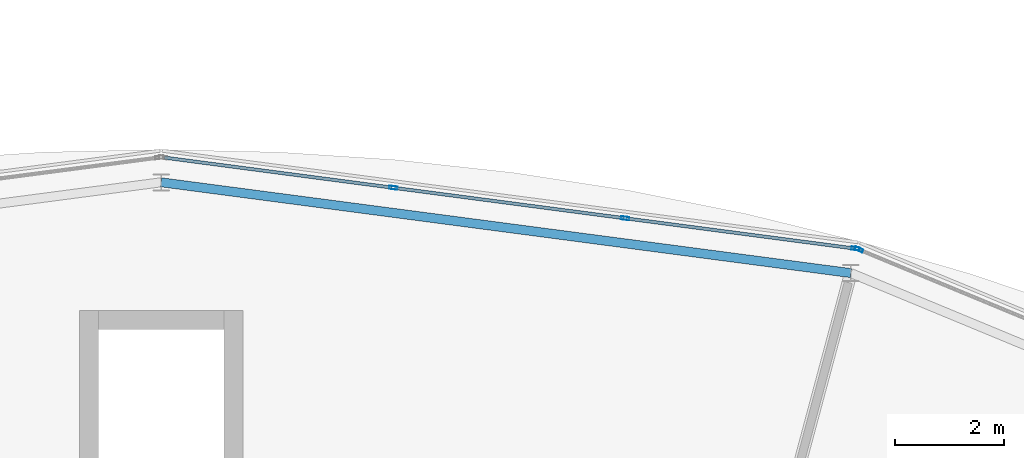
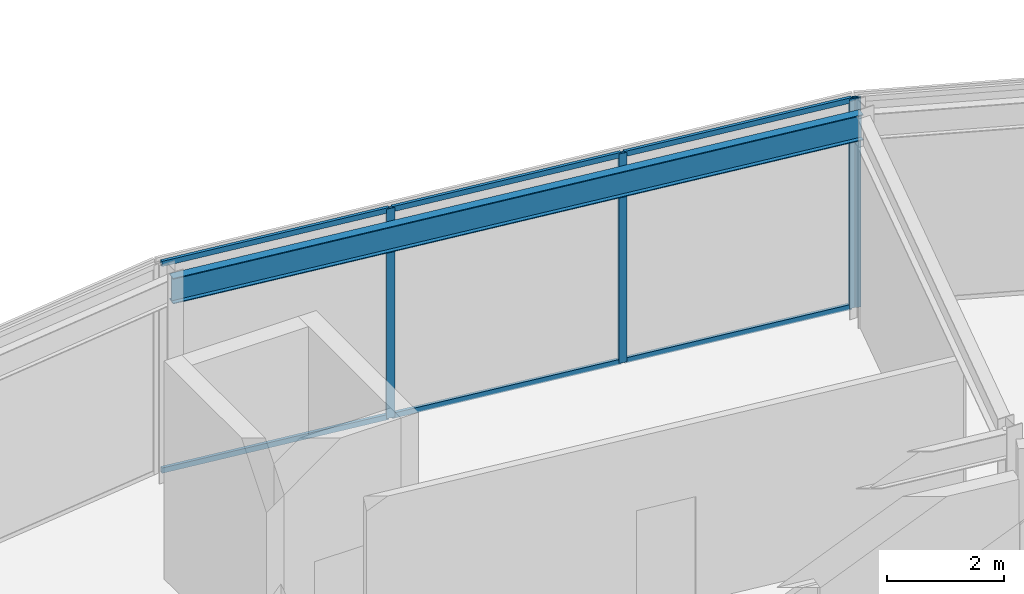
# One storey, part 64 of 116: 10 members, 1 beam, 2 elements without a shape of their own.
"""IFC4 building model written with IfcOpenShell, lengths in metres."""

from ifc_helpers import new_model, si_unit, direction, frame, origin, origin_2d, place, context, subcontext, project, spatial, hollow_rectangle, i_section, extrude, material, material_profile, profile_set, type_object, element, aggregate, save


model = new_model("IFC4")

# Units and contexts
model_context = context("Model", 3, precision=1e-05, world=origin(), true_north=direction((0.0, 1.0)))
body_context = subcontext(model_context, "Body", "Model", "MODEL_VIEW")
ifc_project = project(units=[si_unit("LENGTHUNIT", "METRE"), si_unit("AREAUNIT", "SQUARE_METRE"), si_unit("VOLUMEUNIT", "CUBIC_METRE"), si_unit("PLANEANGLEUNIT", "RADIAN"), si_unit("MASSUNIT", "GRAM", prefix="KILO")], contexts=[model_context])

# Site, building, storey
site_placement = place(None, origin())
site = spatial("IfcSite", under=ifc_project, at=site_placement, CompositionType="ELEMENT")
building_placement = place(site_placement, origin())
building = spatial("IfcBuilding", under=site, at=building_placement, Name="Almandine Court Research Institute", CompositionType="ELEMENT")
storey_placement = place(building_placement, frame((0.0, 0.0, 14.35009765625)))
storey = spatial("IfcBuildingStorey", under=building, at=storey_placement, Name="L03", CompositionType="ELEMENT", Elevation=14.35009765625)

# Beam
ifc_material_1 = material(Name="Steel ASTM A992 Grade 50", Category="steel")
ifc_material_profile_1 = material_profile(ifc_material_1, i_section(OverallWidth=0.166015625, OverallDepth=0.534912109375, WebThickness=0.010009765625, FlangeThickness=0.01708984375, at=origin_2d()), Name="W530x85")
ifc_profile_set_1 = profile_set([ifc_material_profile_1], Name="Steel ASTM A992 Grade 50")
beam_type = type_object("IfcBeamType", Name="Beam-G-05-E", PredefinedType="SPANDREL", material=ifc_profile_set_1)
beam_placement = place(storey_placement, frame((99.656005859375, 103.23388671875, 4.102783203125), z_axis=(-0.991446677504, 0.130512396599, 0.0), x_axis=(-0.130512396599, -0.991446677504, 0.0)))
element("IfcBeam", 1, at=beam_placement, inside=storey, type_object=beam_type, Name="L03 Drum OUT Ring Beam 05", PredefinedType="SPANDREL", context=body_context, shape_type="SweptSolid", body=[
    extrude(i_section(OverallWidth=0.166015625, OverallDepth=0.534912109375, WebThickness=0.010009765625, FlangeThickness=0.01708984375, at=origin_2d()), origin(), (0.0, 0.0, 1.0), 12.76513671875),
])

# Curtain wall, member
ifc_material_2 = material(Name="Unitised Curtain Wall Framing and Solar Glazing", Category="glass")
curtain_wall_type = type_object("IfcCurtainWallType", Name="CW-CWG-20", PredefinedType="USERDEFINED", material=ifc_material_2)
curtain_wall_1_placement = place(storey_placement, origin())
curtain_wall_1 = element("IfcCurtainWall", 2, at=curtain_wall_1_placement, inside=storey, type_object=curtain_wall_type, Name="L03 Stacked-Ring Drum Outer Unitised Glazing 04", ObjectType="UNITISED GLAZING", PredefinedType="USERDEFINED")
ifc_material_3 = material(Name="Anodised Aluminium AW-6063-T6", Category="aluminium")
ifc_material_profile_2 = material_profile(ifc_material_3, hollow_rectangle(XDim=0.06005859375, YDim=0.14990234375, WallThickness=0.00390625, at=origin_2d()), Name="ALU RHS 60x150x4")
ifc_profile_set_2 = profile_set([ifc_material_profile_2], Name="Anodised Aluminium AW-6063-T6")
member_type_1 = type_object("IfcMemberType", Name="CWMul-60x150", PredefinedType="MULLION", material=ifc_profile_set_2)
member_1_placement = place(storey_placement, frame((99.806640625, 103.66552734375, 0.0), z_axis=(0.0, 0.0, 1.0), x_axis=(0.382662689242, 0.923888124321, 0.0)))
member_1 = element("IfcMember", 3, at=member_1_placement, type_object=member_type_1, Name="CWG-20 mullion 1", PredefinedType="MULLION", context=body_context, shape_type="SweptSolid", body=[
    extrude(hollow_rectangle(XDim=0.06005859375, YDim=0.14990234375, WallThickness=0.00390625, at=origin_2d()), origin(), (0.0, 0.0, 1.0), 4.369873046875),
])
aggregate(curtain_wall_1, [member_1])

# Curtain wall, members
curtain_wall_2_placement = place(storey_placement, origin())
curtain_wall_2 = element("IfcCurtainWall", 4, at=curtain_wall_2_placement, inside=storey, type_object=curtain_wall_type, Name="L03 Stacked-Ring Drum Outer Unitised Glazing 05", ObjectType="UNITISED GLAZING", PredefinedType="USERDEFINED")
member_2_placement = place(storey_placement, frame((91.259765625, 104.799560546875, 0.0), z_axis=(0.0, 0.0, 1.0), x_axis=(0.130540891259, 0.991442926098, 0.0)))
member_2 = element("IfcMember", 5, at=member_2_placement, type_object=member_type_1, Name="CWG-20 mullion 2", PredefinedType="MULLION", context=body_context, shape_type="SweptSolid", body=[
    extrude(hollow_rectangle(XDim=0.06005859375, YDim=0.14990234375, WallThickness=0.00390625, at=origin_2d()), origin(), (0.0, 0.0, 1.0), 4.369873046875),
])
member_3_placement = place(storey_placement, frame((95.515380859375, 104.2392578125, 0.0), z_axis=(0.0, 0.0, 1.0), x_axis=(0.130540891259, 0.991442926098, 0.0)))
member_3 = element("IfcMember", 6, at=member_3_placement, type_object=member_type_1, Name="CWG-20 mullion 3", PredefinedType="MULLION", context=body_context, shape_type="SweptSolid", body=[
    extrude(hollow_rectangle(XDim=0.06005859375, YDim=0.14990234375, WallThickness=0.00390625, at=origin_2d()), origin(), (0.0, 0.0, 1.0), 4.369873046875),
])
member_4_placement = place(storey_placement, frame((99.7412109375, 103.682861328125, 0.0), z_axis=(0.0, 0.0, 1.0), x_axis=(0.130540891259, 0.991442926098, 0.0)))
member_4 = element("IfcMember", 7, at=member_4_placement, type_object=member_type_1, Name="CWG-20 mullion 4", PredefinedType="MULLION", context=body_context, shape_type="SweptSolid", body=[
    extrude(hollow_rectangle(XDim=0.06005859375, YDim=0.14990234375, WallThickness=0.00390625, at=origin_2d()), origin(), (0.0, 0.0, 1.0), 4.369873046875),
])
ifc_material_profile_3 = material_profile(ifc_material_3, hollow_rectangle(XDim=0.06005859375, YDim=0.110107421875, WallThickness=0.00390625, at=origin_2d()), Name="ALU RHS 60x110x4")
ifc_profile_set_3 = profile_set([ifc_material_profile_3], Name="Anodised Aluminium AW-6063-T6")
member_type_2 = type_object("IfcMemberType", Name="CWTrn-60x110", PredefinedType="NOTDEFINED", material=ifc_profile_set_3)
member_5_placement = place(storey_placement, frame((87.0634765625, 105.35205078125, 0.02978515625), z_axis=(0.991443218791, -0.130538668266, 0.0), x_axis=(0.130538668266, 0.991443218791, 0.0)))
member_5 = element("IfcMember", 8, at=member_5_placement, type_object=member_type_2, Name="CWG-20 transom 1.1", ObjectType="TRANSOM", PredefinedType="USERDEFINED", context=body_context, shape_type="SweptSolid", body=[
    extrude(hollow_rectangle(XDim=0.06005859375, YDim=0.110107421875, WallThickness=0.00390625, at=origin_2d()), origin(), (0.0, 0.0, 1.0), 4.202392578125),
])
member_6_placement = place(storey_placement, frame((87.0634765625, 105.35205078125, 4.33984375), z_axis=(0.991443218791, -0.130538668266, 0.0), x_axis=(0.130538668266, 0.991443218791, 0.0)))
member_6 = element("IfcMember", 9, at=member_6_placement, type_object=member_type_2, Name="CWG-20 transom 1.2", ObjectType="TRANSOM", PredefinedType="USERDEFINED", context=body_context, shape_type="SweptSolid", body=[
    extrude(hollow_rectangle(XDim=0.06005859375, YDim=0.110107421875, WallThickness=0.00390625, at=origin_2d()), origin(), (0.0, 0.0, 1.0), 4.202392578125),
])
member_7_placement = place(storey_placement, frame((91.289306640625, 104.795654296875, 0.02978515625), z_axis=(0.991443690345, -0.130535086761, 0.0), x_axis=(0.130535086761, 0.991443690345, 0.0)))
member_7 = element("IfcMember", 10, at=member_7_placement, type_object=member_type_2, Name="CWG-20 transom 2.1", ObjectType="TRANSOM", PredefinedType="USERDEFINED", context=body_context, shape_type="SweptSolid", body=[
    extrude(hollow_rectangle(XDim=0.06005859375, YDim=0.110107421875, WallThickness=0.00390625, at=origin_2d()), origin(), (0.0, 0.0, 1.0), 4.232421875),
])
member_8_placement = place(storey_placement, frame((91.289306640625, 104.795654296875, 4.33984375), z_axis=(0.991443690345, -0.130535086761, 0.0), x_axis=(0.130535086761, 0.991443690345, 0.0)))
member_8 = element("IfcMember", 11, at=member_8_placement, type_object=member_type_2, Name="CWG-20 transom 2.2", ObjectType="TRANSOM", PredefinedType="USERDEFINED", context=body_context, shape_type="SweptSolid", body=[
    extrude(hollow_rectangle(XDim=0.06005859375, YDim=0.110107421875, WallThickness=0.00390625, at=origin_2d()), origin(), (0.0, 0.0, 1.0), 4.232421875),
])
member_9_placement = place(storey_placement, frame((95.545166015625, 104.2353515625, 0.02978515625), z_axis=(0.991442228753, -0.130546187402, 0.0), x_axis=(0.130546187402, 0.991442228753, 0.0)))
member_9 = element("IfcMember", 12, at=member_9_placement, type_object=member_type_2, Name="CWG-20 transom 3.1", ObjectType="TRANSOM", PredefinedType="USERDEFINED", context=body_context, shape_type="SweptSolid", body=[
    extrude(hollow_rectangle(XDim=0.06005859375, YDim=0.110107421875, WallThickness=0.00390625, at=origin_2d()), origin(), (0.0, 0.0, 1.0), 4.2021484375),
])
member_10_placement = place(storey_placement, frame((95.545166015625, 104.2353515625, 4.33984375), z_axis=(0.991442228753, -0.130546187402, 0.0), x_axis=(0.130546187402, 0.991442228753, 0.0)))
member_10 = element("IfcMember", 13, at=member_10_placement, type_object=member_type_2, Name="CWG-20 transom 3.2", ObjectType="TRANSOM", PredefinedType="USERDEFINED", context=body_context, shape_type="SweptSolid", body=[
    extrude(hollow_rectangle(XDim=0.06005859375, YDim=0.110107421875, WallThickness=0.00390625, at=origin_2d()), origin(), (0.0, 0.0, 1.0), 4.2021484375),
])
aggregate(curtain_wall_2, [member_2, member_3, member_4, member_5, member_6, member_7, member_8, member_9, member_10])

save(model, "model.ifc")
